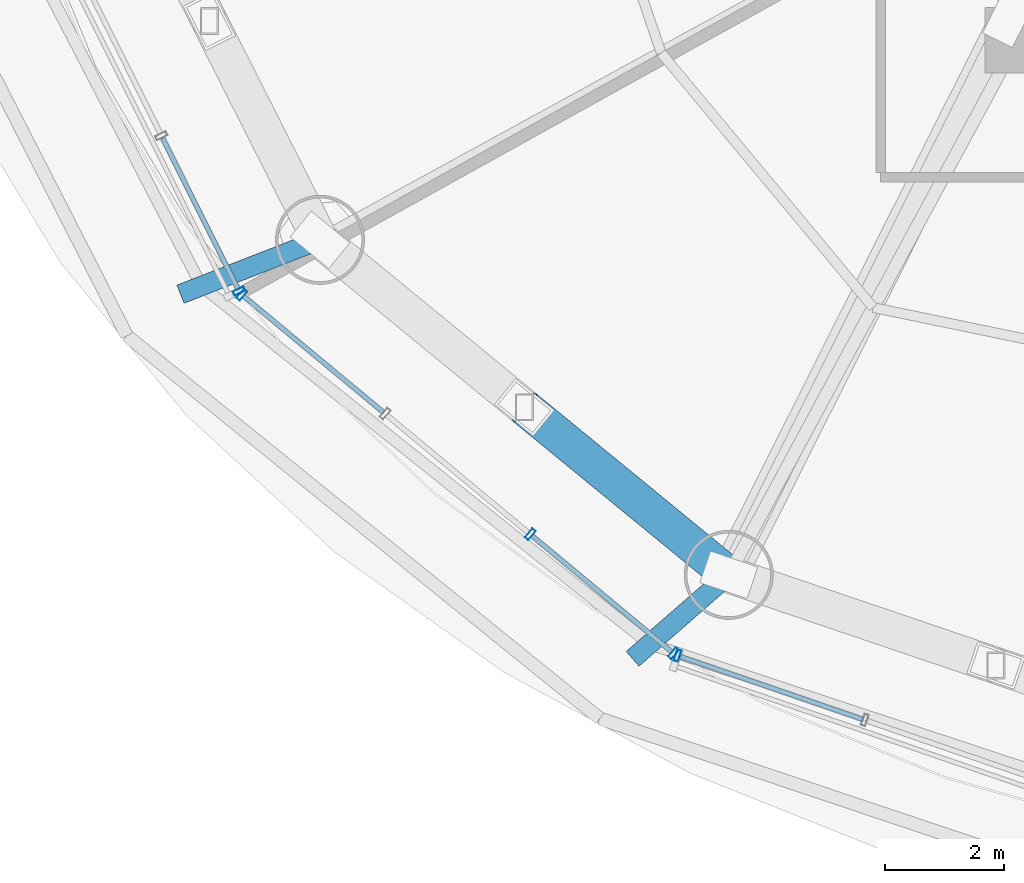
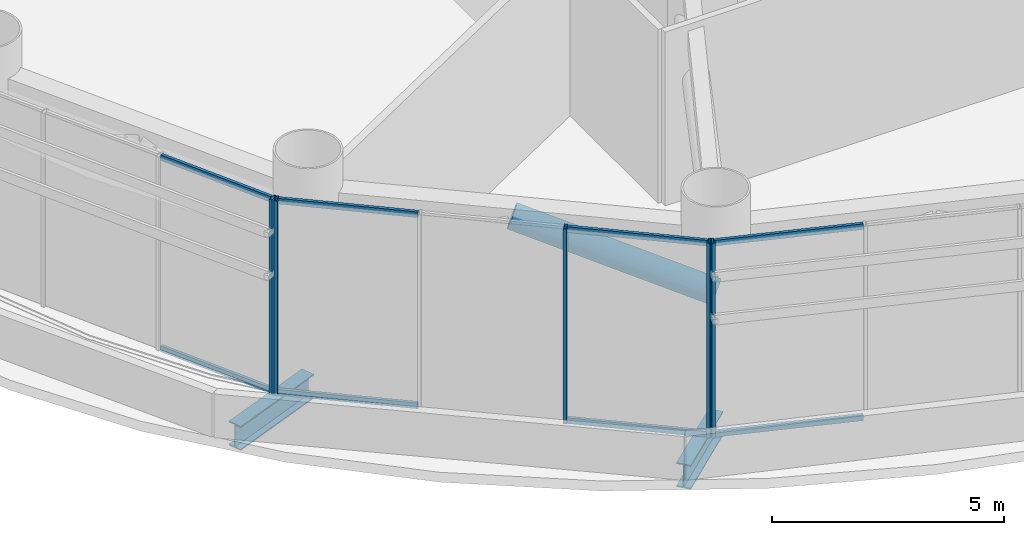
# One storey, part 2 of 33: 14 members, 2 beams, 3 elements without a shape of their own.
"""IFC4 building model written with IfcOpenShell, lengths in metres."""

from ifc_helpers import new_model, si_unit, direction, frame, origin, origin_2d, place, context, subcontext, project, spatial, hollow_rectangle, hollow_circle, i_section, extrude, source, transform, mapped, material, material_profile, profile_set, type_object, element, aggregate, save


model = new_model("IFC4")

# Units and contexts
model_context = context("Model", 3, precision=1e-05, world=origin(), true_north=direction((-0.2419218956, 0.970295726276)))
body_context = subcontext(model_context, "Body", "Model", "MODEL_VIEW")
ifc_project = project(units=[si_unit("LENGTHUNIT", "METRE"), si_unit("AREAUNIT", "SQUARE_METRE"), si_unit("VOLUMEUNIT", "CUBIC_METRE"), si_unit("PLANEANGLEUNIT", "RADIAN"), si_unit("MASSUNIT", "GRAM", prefix="KILO")], contexts=[model_context])

# Site, building, storey
site_placement = place(None, origin())
site = spatial("IfcSite", under=ifc_project, at=site_placement, CompositionType="ELEMENT")
building_placement = place(site_placement, origin())
building = spatial("IfcBuilding", under=site, at=building_placement, Name="Cobrevalo Terracotta Tower", CompositionType="ELEMENT")
storey_placement = place(building_placement, frame((0.0, 0.0, 74.39990234375)))
storey = spatial("IfcBuildingStorey", under=building, at=storey_placement, Name="L19", CompositionType="ELEMENT", Elevation=74.39990234375)

# Beams
ifc_material_1 = material(Name="Steel S355", Category="steel")
ifc_material_profile_1 = material_profile(ifc_material_1, i_section(OverallWidth=0.3291015625, OverallDepth=0.635009765625, WebThickness=0.017822265625, FlangeThickness=0.031005859375, at=origin_2d()), Name="W 610x241")
ifc_profile_set_1 = profile_set([ifc_material_profile_1], Name="Steel S355")
beam_type = type_object("IfcBeamType", Name="Structural Beam W 610x241 (Steel S355)", PredefinedType="BEAM", material=ifc_profile_set_1)
beam_1_placement = place(storey_placement, frame((14.9052734375, 14.522705078125, -0.767333984375), z_axis=(0.931731877135, 0.363146952528, 0.0), x_axis=(-0.363146952528, 0.931731877135, 0.0)))
element("IfcBeam", 1, at=beam_1_placement, inside=storey, type_object=beam_type, Name="L19 setback step-link girder 10", PredefinedType="BEAM", context=body_context, shape_type="SweptSolid", body=[
    extrude(i_section(OverallWidth=0.3291015625, OverallDepth=0.635009765625, WebThickness=0.017822265625, FlangeThickness=0.031005859375, at=origin_2d()), origin(), (0.0, 0.0, 1.0), 2.521728515625),
])
beam_2_placement = place(storey_placement, frame((22.518798828125, 8.382568359375, -0.767333984375), z_axis=(0.753349983787, 0.657619800438, 0.0), x_axis=(-0.657619800438, 0.753349983787, 0.0)))
element("IfcBeam", 2, at=beam_2_placement, inside=storey, type_object=beam_type, Name="L19 setback step-link girder 11", PredefinedType="BEAM", context=body_context, shape_type="SweptSolid", body=[
    extrude(i_section(OverallWidth=0.3291015625, OverallDepth=0.635009765625, WebThickness=0.017822265625, FlangeThickness=0.031005859375, at=origin_2d()), origin(), (0.0, 0.0, 1.0), 2.14990234375),
])

# Member
ifc_material_profile_2 = material_profile(ifc_material_1, hollow_circle(Radius=0.304931640625, WallThickness=0.02490234375, at=origin_2d()), Name="CHS 610x25")
ifc_profile_set_2 = profile_set([ifc_material_profile_2], Name="Steel S355")
member_type_1 = type_object("IfcMemberType", Name="Steel Brace CHS 610x25 (Steel S355)", PredefinedType="BRACE", material=ifc_profile_set_2)
shared_shape_1 = source(origin(), body_context, "Body", "SweptSolid", [
    extrude(hollow_circle(Radius=0.304931640625, WallThickness=0.02490234375, at=origin_2d()), origin(), (0.0, 0.0, 1.0), 4.6943359375),
])
member_1_placement = place(storey_placement, frame((24.138427734375, 9.79638671875, 2.650146484375), z_axis=(-0.733131153085, 0.600931437461, 0.318433854745), x_axis=(-0.633930644629, -0.773389900245, 0.0)))
element("IfcMember", 3, at=member_1_placement, inside=storey, type_object=member_type_1, Name="L19 belt truss diagonal brace 10-D2", PredefinedType="BRACE", context=body_context, shape_type="MappedRepresentation", body=[
    mapped(shared_shape_1, transform((0.0, 0.0, 0.0), scale=1.0)),
])

# Curtain wall, member
ifc_material_2 = material(Name="Anodized aluminium", Category="aluminium")
curtain_wall_type = type_object("IfcCurtainWallType", Name="Belt-truss plant acoustic weather-louvre curtain wall CW-LV", PredefinedType="NOTDEFINED", material=ifc_material_2)
curtain_wall_1_placement = place(storey_placement, origin())
curtain_wall_1 = element("IfcCurtainWall", 4, at=curtain_wall_1_placement, inside=storey, type_object=curtain_wall_type, Name="L19 curtain wall CW-LV-L19-S09", PredefinedType="NOTDEFINED")
ifc_material_profile_3 = material_profile(ifc_material_2, hollow_rectangle(XDim=0.074951171875, YDim=0.199951171875, WallThickness=0.0048828125, at=origin_2d()), Name="CWM 75x200")
ifc_profile_set_3 = profile_set([ifc_material_profile_3], Name="Anodized aluminium")
member_type_2 = type_object("IfcMemberType", Name="Lower/mid tower unitised mullion 75x200", PredefinedType="MULLION", material=ifc_profile_set_3)
shared_shape_2 = source(origin(), body_context, "Body", "SweptSolid", [
    extrude(hollow_rectangle(XDim=0.074951171875, YDim=0.199951171875, WallThickness=0.0048828125, at=origin_2d()), origin(), (0.0, 0.0, 1.0), 5.125),
])
member_2_placement = place(storey_placement, frame((15.889892578125, 14.574462890625, 0.0), z_axis=(0.0, 0.0, 1.0), x_axis=(0.446260290227, -0.894903208937, 0.0)))
member_2 = element("IfcMember", 5, at=member_2_placement, type_object=member_type_2, Name="CW-LV-L19-S09 vertical mullion 04", PredefinedType="MULLION", context=body_context, shape_type="MappedRepresentation", body=[
    mapped(shared_shape_2, transform((0.0, 0.0, 0.0), scale=1.0)),
])

# Curtain wall, members
curtain_wall_2_placement = place(storey_placement, origin())
curtain_wall_2 = element("IfcCurtainWall", 6, at=curtain_wall_2_placement, inside=storey, type_object=curtain_wall_type, Name="L19 curtain wall CW-LV-L19-S10", PredefinedType="NOTDEFINED")
member_3_placement = place(storey_placement, frame((15.938720703125, 14.512939453125, 0.0), z_axis=(0.0, 0.0, 1.0), x_axis=(0.769243451658, -0.638955798222, 0.0)))
member_3 = element("IfcMember", 7, at=member_3_placement, type_object=member_type_2, Name="CW-LV-L19-S10 vertical mullion 01", PredefinedType="MULLION", context=body_context, shape_type="MappedRepresentation", body=[
    mapped(shared_shape_2, transform((0.0, 0.0, 0.0), scale=1.0)),
])
member_4_placement = place(storey_placement, frame((20.794921875, 10.479248046875, 0.0), z_axis=(0.0, 0.0, 1.0), x_axis=(0.769243451658, -0.638955798222, 0.0)))
member_4 = element("IfcMember", 8, at=member_4_placement, type_object=member_type_2, Name="CW-LV-L19-S10 vertical mullion 03", PredefinedType="MULLION", context=body_context, shape_type="MappedRepresentation", body=[
    mapped(shared_shape_2, transform((0.0, 0.0, 0.0), scale=1.0)),
])
member_5_placement = place(storey_placement, frame((23.207763671875, 8.47509765625, 0.0), z_axis=(0.0, 0.0, 1.0), x_axis=(0.769243451658, -0.638955798222, 0.0)))
member_5 = element("IfcMember", 9, at=member_5_placement, type_object=member_type_2, Name="CW-LV-L19-S10 vertical mullion 04", PredefinedType="MULLION", context=body_context, shape_type="MappedRepresentation", body=[
    mapped(shared_shape_2, transform((0.0, 0.0, 0.0), scale=1.0)),
])

# Curtain wall, member
curtain_wall_3_placement = place(storey_placement, origin())
curtain_wall_3 = element("IfcCurtainWall", 10, at=curtain_wall_3_placement, inside=storey, type_object=curtain_wall_type, Name="L19 curtain wall CW-LV-L19-S11", PredefinedType="NOTDEFINED")
member_6_placement = place(storey_placement, frame((23.2763671875, 8.4365234375, 0.0), z_axis=(0.0, 0.0, 1.0), x_axis=(0.94559809868, -0.325337110968, 0.0)))
member_6 = element("IfcMember", 11, at=member_6_placement, type_object=member_type_2, Name="CW-LV-L19-S11 vertical mullion 01", PredefinedType="MULLION", context=body_context, shape_type="MappedRepresentation", body=[
    mapped(shared_shape_2, transform((0.0, 0.0, 0.0), scale=1.0)),
])

# Member
ifc_material_profile_4 = material_profile(ifc_material_2, hollow_rectangle(XDim=0.074951171875, YDim=0.14990234375, WallThickness=0.00439453125, at=origin_2d()), Name="CWT 75x150")
ifc_profile_set_4 = profile_set([ifc_material_profile_4], Name="Anodized aluminium")
member_type_3 = type_object("IfcMemberType", Name="Tower unitised aluminium transom 75x150", PredefinedType="USERDEFINED", material=ifc_profile_set_4)
shared_shape_3 = source(origin(), body_context, "Body", "SweptSolid", [
    extrude(hollow_rectangle(XDim=0.074951171875, YDim=0.14990234375, WallThickness=0.00439453125, at=origin_2d()), origin(), (0.0, 0.0, 1.0), 3.056396484375),
])
member_7_placement = place(storey_placement, frame((15.969482421875, 14.487548828125, 0.050048828125), z_axis=(0.769202453253, -0.639005153273, 0.0), x_axis=(0.639005153273, 0.769202453253, 0.0)))
member_7 = element("IfcMember", 12, at=member_7_placement, type_object=member_type_3, Name="CW-LV-L19-S10 transom B01-T1", ObjectType="TRANSOM", PredefinedType="USERDEFINED", context=body_context, shape_type="MappedRepresentation", body=[
    mapped(shared_shape_3, transform((0.0, 0.0, 0.0), scale=1.0)),
])

member_8_placement = place(storey_placement, frame((15.969482421875, 14.487548828125, 5.0751953125), z_axis=(0.769202453253, -0.639005153273, 0.0), x_axis=(0.639005153273, 0.769202453253, 0.0)))
member_8 = element("IfcMember", 13, at=member_8_placement, type_object=member_type_3, Name="CW-LV-L19-S10 transom B01-T2", ObjectType="TRANSOM", PredefinedType="USERDEFINED", context=body_context, shape_type="MappedRepresentation", body=[
    mapped(shared_shape_3, transform((0.0, 0.0, 0.0), scale=1.0)),
])

shared_shape_4 = source(origin(), body_context, "Body", "SweptSolid", [
    extrude(hollow_rectangle(XDim=0.074951171875, YDim=0.14990234375, WallThickness=0.00439453125, at=origin_2d()), origin(), (0.0, 0.0, 1.0), 3.056640625),
])
member_9_placement = place(storey_placement, frame((20.82568359375, 10.45361328125, 0.050048828125), z_axis=(0.769235065676, -0.638965894031, 0.0), x_axis=(0.638965894031, 0.769235065676, 0.0)))
member_9 = element("IfcMember", 14, at=member_9_placement, type_object=member_type_3, Name="CW-LV-L19-S10 transom B03-T1", ObjectType="TRANSOM", PredefinedType="USERDEFINED", context=body_context, shape_type="MappedRepresentation", body=[
    mapped(shared_shape_4, transform((0.0, 0.0, 0.0), scale=1.0)),
])

member_10_placement = place(storey_placement, frame((20.82568359375, 10.45361328125, 5.0751953125), z_axis=(0.769235065676, -0.638965894031, 0.0), x_axis=(0.638965894031, 0.769235065676, 0.0)))
member_10 = element("IfcMember", 15, at=member_10_placement, type_object=member_type_3, Name="CW-LV-L19-S10 transom B03-T2", ObjectType="TRANSOM", PredefinedType="USERDEFINED", context=body_context, shape_type="MappedRepresentation", body=[
    mapped(shared_shape_4, transform((0.0, 0.0, 0.0), scale=1.0)),
])

aggregate(curtain_wall_2, [member_3, member_4, member_5, member_7, member_8, member_9, member_10])

shared_shape_5 = source(origin(), body_context, "Body", "SweptSolid", [
    extrude(hollow_rectangle(XDim=0.074951171875, YDim=0.14990234375, WallThickness=0.00439453125, at=origin_2d()), origin(), (0.0, 0.0, 1.0), 3.25634765625),
])
member_11_placement = place(storey_placement, frame((23.314208984375, 8.42333984375, 0.050048828125), z_axis=(0.945603013523, -0.325322825537, 0.0), x_axis=(0.325322825537, 0.945603013523, 0.0)))
member_11 = element("IfcMember", 16, at=member_11_placement, type_object=member_type_3, Name="CW-LV-L19-S11 transom B01-T1", ObjectType="TRANSOM", PredefinedType="USERDEFINED", context=body_context, shape_type="MappedRepresentation", body=[
    mapped(shared_shape_5, transform((0.0, 0.0, 0.0), scale=1.0)),
])

member_12_placement = place(storey_placement, frame((23.314208984375, 8.42333984375, 5.0751953125), z_axis=(0.945603013523, -0.325322825537, 0.0), x_axis=(0.325322825537, 0.945603013523, 0.0)))
member_12 = element("IfcMember", 17, at=member_12_placement, type_object=member_type_3, Name="CW-LV-L19-S11 transom B01-T2", ObjectType="TRANSOM", PredefinedType="USERDEFINED", context=body_context, shape_type="MappedRepresentation", body=[
    mapped(shared_shape_5, transform((0.0, 0.0, 0.0), scale=1.0)),
])

aggregate(curtain_wall_3, [member_6, member_11, member_12])

shared_shape_6 = source(origin(), body_context, "Body", "SweptSolid", [
    extrude(hollow_rectangle(XDim=0.074951171875, YDim=0.14990234375, WallThickness=0.00439453125, at=origin_2d()), origin(), (0.0, 0.0, 1.0), 2.843505859375),
])
member_13_placement = place(storey_placement, frame((14.603271484375, 17.15478515625, 0.050048828125), z_axis=(0.446217335725, -0.894924627719, 0.0), x_axis=(0.894924627719, 0.446217335725, 0.0)))
member_13 = element("IfcMember", 18, at=member_13_placement, type_object=member_type_3, Name="CW-LV-L19-S09 transom B03-T1", ObjectType="TRANSOM", PredefinedType="USERDEFINED", context=body_context, shape_type="MappedRepresentation", body=[
    mapped(shared_shape_6, transform((0.0, 0.0, 0.0), scale=1.0)),
])

member_14_placement = place(storey_placement, frame((14.603271484375, 17.15478515625, 5.0751953125), z_axis=(0.446217335725, -0.894924627719, 0.0), x_axis=(0.894924627719, 0.446217335725, 0.0)))
member_14 = element("IfcMember", 19, at=member_14_placement, type_object=member_type_3, Name="CW-LV-L19-S09 transom B03-T2", ObjectType="TRANSOM", PredefinedType="USERDEFINED", context=body_context, shape_type="MappedRepresentation", body=[
    mapped(shared_shape_6, transform((0.0, 0.0, 0.0), scale=1.0)),
])

aggregate(curtain_wall_1, [member_2, member_13, member_14])

save(model, "model.ifc")
